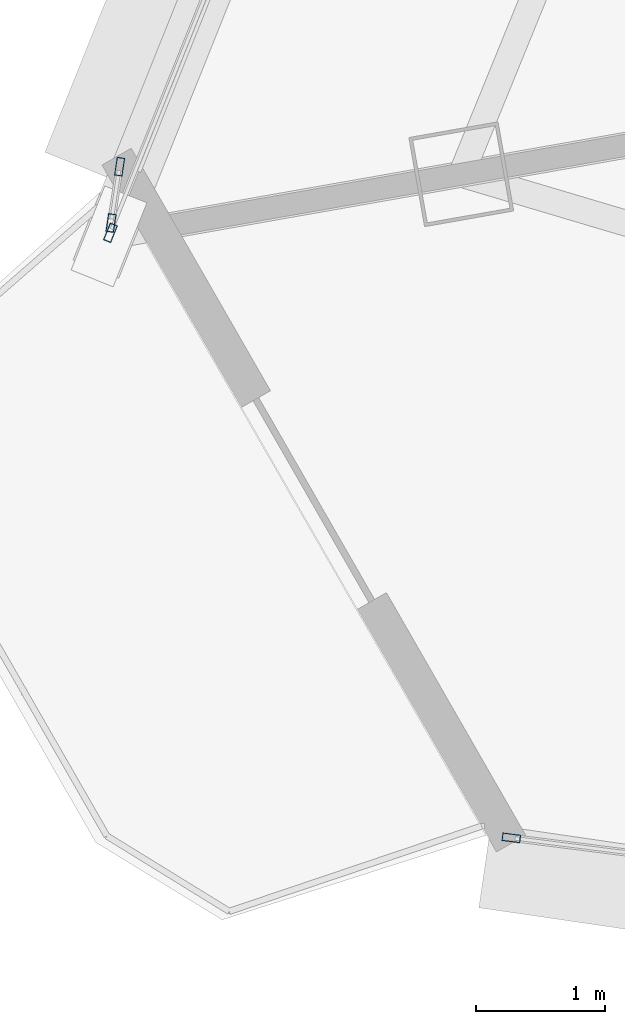
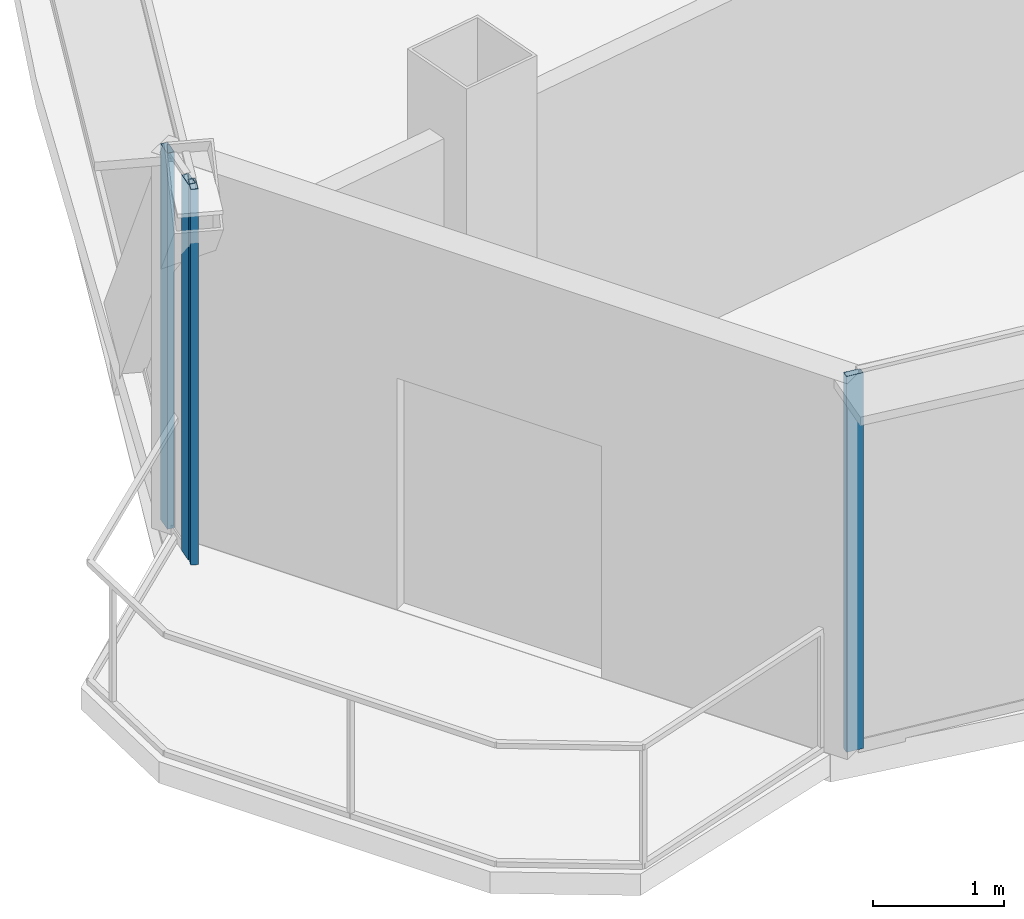
# One storey, part 2 of 30: 4 members, 3 elements without a shape of their own.
"""IFC4 building model written with IfcOpenShell, lengths in metres."""

import ifcopenshell
import ifcopenshell.guid

model = None  # the IFC model being written
_history = None  # IfcOwnerHistory: only IFC2X3 demands one
_inside = {}  # id of a spatial element -> (the spatial element, [elements in it])
_under = {}  # id of a project, library or spatial element -> (it, [spatial elements below it])
_declared = {}  # id of a project -> (the project, [libraries it declares])
_typed = {}  # id of a type object -> (the type object, [elements of that type])
_made_of = {}  # id of a material, layer set ... -> (it, [elements and type objects made of it])


def new_model(schema):
    """Start an empty IFC model of exactly this schema.

    Asked for "IFC4X3", IfcOpenShell would pick the latest addendum, in which some entities
    have other attributes; the version numbers below select the first issue.
    IFC2X3 requires an IfcOwnerHistory on every rooted entity: one is made here for all.
    """
    global model, _history
    if schema == "IFC4X3":
        model = ifcopenshell.file(schema_version=(4, 3, 0, 0))
    else:
        model = ifcopenshell.file(schema=schema)
    _inside.clear()
    _under.clear()
    _declared.clear()
    _typed.clear()
    _made_of.clear()
    _history = None
    if model.schema == "IFC2X3":
        org = make("IfcOrganization", Name="unknown")
        user = make(
            "IfcPersonAndOrganization",
            ThePerson=make("IfcPerson", FamilyName="unknown"),
            TheOrganization=org,
        )
        app = make(
            "IfcApplication",
            ApplicationDeveloper=org,
            Version="unknown",
            ApplicationFullName="unknown",
            ApplicationIdentifier="unknown",
        )
        _history = make(
            "IfcOwnerHistory",
            OwningUser=user,
            OwningApplication=app,
            ChangeAction="ADDED",
            CreationDate=0,
        )
    return model


def make(cls, **values):
    """One entity of the class cls with the attributes given. An attribute that is None is left unset."""
    return model.create_entity(
        cls, **{name: value for name, value in values.items() if value is not None}
    )


def rooted(cls, **values):
    """An entity with a GlobalId (a new one), such as an element, a storey or a relation."""
    return make(cls, GlobalId=ifcopenshell.guid.new(), OwnerHistory=_history, **values)


def si_unit(unit_type, name, prefix=None):
    """IfcSIUnit, for example si_unit("LENGTHUNIT", "METRE", prefix="MILLI")."""
    return make("IfcSIUnit", UnitType=unit_type, Prefix=prefix, Name=name)


def assignment(units):
    """IfcUnitAssignment: the units of a project."""
    return None if units is None else make("IfcUnitAssignment", Units=units)


def point(xyz):
    """IfcCartesianPoint."""
    return None if xyz is None else make("IfcCartesianPoint", Coordinates=xyz)


def direction(xyz):
    """IfcDirection."""
    return None if xyz is None else make("IfcDirection", DirectionRatios=xyz)


def frame(location, z_axis=None, x_axis=None):
    """IfcAxis2Placement3D, a coordinate frame: its origin and axes. An axis left out is left unset."""
    return make(
        "IfcAxis2Placement3D",
        Location=point(location),
        Axis=direction(z_axis),
        RefDirection=direction(x_axis),
    )


def frame_2d(location, x_axis=None):
    """IfcAxis2Placement2D, a coordinate frame in the plane: its origin and x axis."""
    return make(
        "IfcAxis2Placement2D", Location=point(location), RefDirection=direction(x_axis)
    )


def origin():
    """The frame at (0, 0, 0) with its axes left unset."""
    return frame((0.0, 0.0, 0.0))


def origin_2d():
    """The frame at (0, 0) in the plane with its x axis left unset."""
    return frame_2d((0.0, 0.0))


def place(relative_to, where):
    """IfcLocalPlacement: puts the frame where relative to a parent placement (None: the world)."""
    return make(
        "IfcLocalPlacement", PlacementRelTo=relative_to, RelativePlacement=where
    )


def context(
    kind, dimensions, precision=None, world=None, true_north=None, identifier=None
):
    """IfcGeometricRepresentationContext, for example the 3D "Model" context."""
    return make(
        "IfcGeometricRepresentationContext",
        ContextIdentifier=identifier,
        ContextType=kind,
        CoordinateSpaceDimension=dimensions,
        Precision=precision,
        WorldCoordinateSystem=world,
        TrueNorth=true_north,
    )


def subcontext(parent, identifier, kind, view, scale=None):
    """IfcGeometricRepresentationSubContext, for example "Body" below "Model"."""
    return make(
        "IfcGeometricRepresentationSubContext",
        ContextIdentifier=identifier,
        ContextType=kind,
        ParentContext=parent,
        TargetScale=scale,
        TargetView=view,
    )


def project(units=None, contexts=None):
    """IfcProject with its units and contexts."""
    return rooted(
        "IfcProject",
        Name="project",
        RepresentationContexts=contexts,
        UnitsInContext=assignment(units),
    )


def spatial(cls, under=None, at=None, **own):
    """A site, building, storey or space (cls), placed at a placement, below another one or the project."""
    s = rooted(cls, ObjectPlacement=at, **own)
    if under is not None:
        _under.setdefault(under.id(), (under, []))[1].append(s)
    return s


def profile(cls, at=None, kind="AREA", **sizes):
    """A parametric profile (cls). Its sizes go by their IFC names, for example OverallWidth=200.0."""
    return make(cls, ProfileType=kind, Position=at, **sizes)


def hollow_rectangle(**sizes):
    """IfcRectangleHollowProfileDef."""
    return profile("IfcRectangleHollowProfileDef", **sizes)


def extrude(swept, where, along, depth):
    """IfcExtrudedAreaSolid: the profile swept, set in the frame where, extruded along a direction by depth."""
    return make(
        "IfcExtrudedAreaSolid",
        SweptArea=swept,
        Position=where,
        ExtrudedDirection=direction(along),
        Depth=depth,
    )


def shape(context_of_items, identifier, shape_type, items):
    """IfcShapeRepresentation: the items that make up one representation, for example the "Body"."""
    return make(
        "IfcShapeRepresentation",
        ContextOfItems=context_of_items,
        RepresentationIdentifier=identifier,
        RepresentationType=shape_type,
        Items=items,
    )


def source(mapping_origin, context_of_items, identifier, shape_type, items):
    """IfcRepresentationMap: a shape defined once, which mapped items show again and again."""
    return make(
        "IfcRepresentationMap",
        MappingOrigin=mapping_origin,
        MappedRepresentation=shape(context_of_items, identifier, shape_type, items),
    )


def transform(
    local_origin,
    x_axis=None,
    y_axis=None,
    z_axis=None,
    scale=None,
    scale2=None,
    scale3=None,
    uniform=True,
):
    """IfcCartesianTransformationOperator3D, or its non-uniform kind. x_axis, y_axis, z_axis: its Axis1, 2, 3."""
    if uniform:
        return make(
            "IfcCartesianTransformationOperator3D",
            Axis1=direction(x_axis),
            Axis2=direction(y_axis),
            LocalOrigin=point(local_origin),
            Scale=scale,
            Axis3=direction(z_axis),
        )
    return make(
        "IfcCartesianTransformationOperator3DnonUniform",
        Axis1=direction(x_axis),
        Axis2=direction(y_axis),
        LocalOrigin=point(local_origin),
        Scale=scale,
        Axis3=direction(z_axis),
        Scale2=scale2,
        Scale3=scale3,
    )


def mapped(mapping_source, mapping_target):
    """IfcMappedItem: shows the shape of a source again, moved by a transform."""
    return make(
        "IfcMappedItem", MappingSource=mapping_source, MappingTarget=mapping_target
    )


def material(Name=None, Category=None):
    """IfcMaterial."""
    return make("IfcMaterial", Name=Name, Category=Category)


def layer(
    of_material, thickness, ventilated=None, Name=None, Category=None, Priority=None
):
    """IfcMaterialLayer: one layer of a wall or slab, of a material (None: an air gap)."""
    return make(
        "IfcMaterialLayer",
        Material=of_material,
        LayerThickness=thickness,
        IsVentilated=ventilated,
        Name=Name,
        Category=Category,
        Priority=Priority,
    )


def layer_set(layers, Name=None):
    """IfcMaterialLayerSet."""
    return make("IfcMaterialLayerSet", MaterialLayers=layers, LayerSetName=Name)


def material_profile(
    of_material, cross_section, Name=None, Category=None, Priority=None
):
    """IfcMaterialProfile: a cross section and its material."""
    return make(
        "IfcMaterialProfile",
        Name=Name,
        Material=of_material,
        Profile=cross_section,
        Priority=Priority,
        Category=Category,
    )


def profile_set(profiles, Name=None, composite=None):
    """IfcMaterialProfileSet."""
    return make(
        "IfcMaterialProfileSet",
        Name=Name,
        MaterialProfiles=profiles,
        CompositeProfile=composite,
    )


def made_of(thing, what):
    """Note that an element or type object is made of a material, layer set ...; save() writes the relation."""
    if what is not None:
        _made_of.setdefault(what.id(), (what, []))[1].append(thing)
    return thing


def type_object(cls, material=None, **own):
    """A type object (cls), such as IfcWallType, which elements share."""
    return made_of(rooted(cls, **own), material)


def element(
    cls,
    number,
    at=None,
    inside=None,
    cuts=None,
    type_object=None,
    material=None,
    context=None,
    identifier="Body",
    shape_type=None,
    held_by="IfcProductDefinitionShape",
    body=None,
    shapes=None,
    **own,
):
    """One element of the class cls, such as IfcWall. Its Tag is "e" and its number.

    at: its placement. inside: the storey or other place that contains it. cuts: it is an
    opening in that element (IfcRelVoidsElement). A single representation is given by context,
    identifier, shape_type and body (its items); several are given by shapes. held_by: the class
    of the entity that holds the representations. save() writes the other relations.
    """
    e = rooted(cls, Tag="e%d" % number, ObjectPlacement=at, **own)
    if body is not None:
        shapes = [shape(context, identifier, shape_type, body)]
    if shapes is not None:
        e.Representation = make(held_by, Representations=shapes)
    if inside is not None:
        _inside.setdefault(inside.id(), (inside, []))[1].append(e)
    if cuts is not None:
        rooted(
            "IfcRelVoidsElement", RelatingBuildingElement=cuts, RelatedOpeningElement=e
        )
    if type_object is not None:
        _typed.setdefault(type_object.id(), (type_object, []))[1].append(e)
    return made_of(e, material)


def aggregate(whole, parts):
    """IfcRelAggregates: a whole, such as a stair, and the parts it consists of."""
    return rooted("IfcRelAggregates", RelatingObject=whole, RelatedObjects=parts)


def save(model, path):
    """Write the relations noted so far, then the file.

    IfcRelAggregates (storeys below a building ...), IfcRelContainedInSpatialStructure (elements
    in a storey), IfcRelDefinesByType, IfcRelAssociatesMaterial and IfcRelDeclares: one each for
    every whole, place, type object, material and project.
    """
    for whole, parts in _under.values():
        aggregate(whole, parts)
    for where, things in _inside.values():
        rooted(
            "IfcRelContainedInSpatialStructure",
            RelatedElements=things,
            RelatingStructure=where,
        )
    for kind, things in _typed.values():
        rooted("IfcRelDefinesByType", RelatedObjects=things, RelatingType=kind)
    for what, things in _made_of.values():
        rooted("IfcRelAssociatesMaterial", RelatedObjects=things, RelatingMaterial=what)
    for by, libraries in _declared.values():
        rooted("IfcRelDeclares", RelatingContext=by, RelatedDefinitions=libraries)
    model.write(path)


model = new_model("IFC4")

# Units and contexts
model_context = context("Model", 3, precision=1e-05, world=origin(), true_north=direction((0.0, 1.0)))
body_context = subcontext(model_context, "Body", "Model", "MODEL_VIEW")
ifc_project = project(units=[si_unit("LENGTHUNIT", "METRE"), si_unit("AREAUNIT", "SQUARE_METRE"), si_unit("VOLUMEUNIT", "CUBIC_METRE"), si_unit("PLANEANGLEUNIT", "RADIAN"), si_unit("MASSUNIT", "GRAM", prefix="KILO"), si_unit("THERMODYNAMICTEMPERATUREUNIT", "KELVIN"), si_unit("POWERUNIT", "WATT")], contexts=[model_context])

# Site, building, storey
site_placement = place(None, origin())
site = spatial("IfcSite", under=ifc_project, at=site_placement, CompositionType="ELEMENT")
building_placement = place(site_placement, origin())
building = spatial("IfcBuilding", under=site, at=building_placement, Name="Yunzhuo Pagoda Commons", CompositionType="ELEMENT")
storey_placement = place(building_placement, frame((0.0, 0.0, 348.010009765625)))
storey = spatial("IfcBuildingStorey", under=building, at=storey_placement, Name="L87", CompositionType="ELEMENT", Elevation=348.010009765625)

# Curtain wall, member
ifc_material = material(Name="Anodized aluminium 6063-T6", Category="aluminium")
ifc_layer = layer(ifc_material, 0.139892578125)
ifc_layer_set = layer_set([ifc_layer], Name="Anodized aluminium 6063-T6")
curtain_wall_type = type_object("IfcCurtainWallType", Name="CW-HI High-Zone Ribbon Curtain Wall", PredefinedType="NOTDEFINED", material=ifc_layer_set)
curtain_wall_1_placement = place(storey_placement, origin())
curtain_wall_1 = element("IfcCurtainWall", 1, at=curtain_wall_1_placement, inside=storey, type_object=curtain_wall_type, Name="L87 curtain wall CW-L87-F1B1", PredefinedType="NOTDEFINED")
ifc_material_profile = material_profile(ifc_material, hollow_rectangle(XDim=0.06005859375, YDim=0.139892578125, WallThickness=0.00341796875, at=origin_2d()), Name="Anodized aluminium 6063-T6")
ifc_profile_set = profile_set([ifc_material_profile], Name="Anodized aluminium 6063-T6")
member_type = type_object("IfcMemberType", Name="CW-HI-M Mullion RHS 140x60x3.5", PredefinedType="MULLION", material=ifc_profile_set)
shared_shape = source(origin(), body_context, "Body", "SweptSolid", [
    extrude(hollow_rectangle(XDim=0.06005859375, YDim=0.139892578125, WallThickness=0.00341796875, at=origin_2d()), origin(), (0.0, 0.0, 1.0), 3.489990234375),
])
member_1_placement = place(storey_placement, frame((23.91650390625, 24.255615234375, 0.0), z_axis=(0.0, 0.0, 1.0), x_axis=(0.126570661327, 0.991957593696, 0.0)))
member_1 = element("IfcMember", 2, at=member_1_placement, type_object=member_type, Name="CW mullion 1", PredefinedType="MULLION", context=body_context, shape_type="MappedRepresentation", body=[
    mapped(shared_shape, transform((0.0, 0.0, 0.0), scale=1.0)),
])
aggregate(curtain_wall_1, [member_1])

curtain_wall_2_placement = place(storey_placement, origin())
curtain_wall_2 = element("IfcCurtainWall", 3, at=curtain_wall_2_placement, inside=storey, type_object=curtain_wall_type, Name="L87 curtain wall CW-L87-F3B4", PredefinedType="NOTDEFINED")
member_2_placement = place(storey_placement, frame((20.817626953125, 28.932861328125, 0.0), z_axis=(0.0, 0.0, 1.0), x_axis=(0.92803921175, -0.372482511608, 0.0)))
member_2 = element("IfcMember", 4, at=member_2_placement, type_object=member_type, Name="CW mullion 2", PredefinedType="MULLION", context=body_context, shape_type="MappedRepresentation", body=[
    mapped(shared_shape, transform((0.0, 0.0, 0.0), scale=1.0)),
])
aggregate(curtain_wall_2, [member_2])

# Curtain wall, members
curtain_wall_3_placement = place(storey_placement, origin())
curtain_wall_3 = element("IfcCurtainWall", 5, at=curtain_wall_3_placement, inside=storey, type_object=curtain_wall_type, Name="L87 curtain wall CW-L87-F3B5", PredefinedType="NOTDEFINED")
member_3_placement = place(storey_placement, frame((20.822265625, 29.0087890625, 0.0), z_axis=(0.0, 0.0, 1.0), x_axis=(-0.988629179637, 0.150374017607, 0.0)))
member_3 = element("IfcMember", 6, at=member_3_placement, type_object=member_type, Name="CW mullion 1", PredefinedType="MULLION", context=body_context, shape_type="MappedRepresentation", body=[
    mapped(shared_shape, transform((0.0, 0.0, 0.0), scale=1.0)),
])
member_4_placement = place(storey_placement, frame((20.888427734375, 29.44384765625, 0.0), z_axis=(0.0, 0.0, 1.0), x_axis=(-0.988629179637, 0.150374017607, 0.0)))
member_4 = element("IfcMember", 7, at=member_4_placement, type_object=member_type, Name="CW mullion 2", PredefinedType="MULLION", context=body_context, shape_type="MappedRepresentation", body=[
    mapped(shared_shape, transform((0.0, 0.0, 0.0), scale=1.0)),
])
aggregate(curtain_wall_3, [member_3, member_4])

save(model, "model.ifc")
